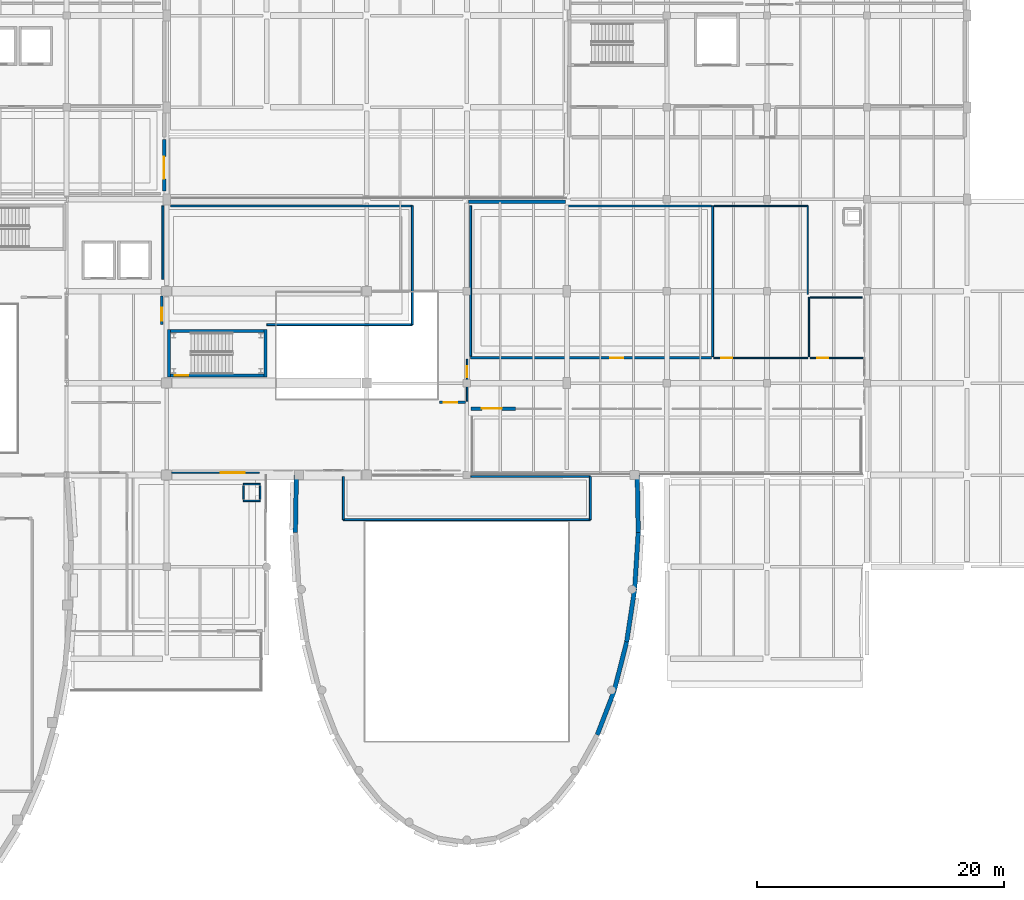
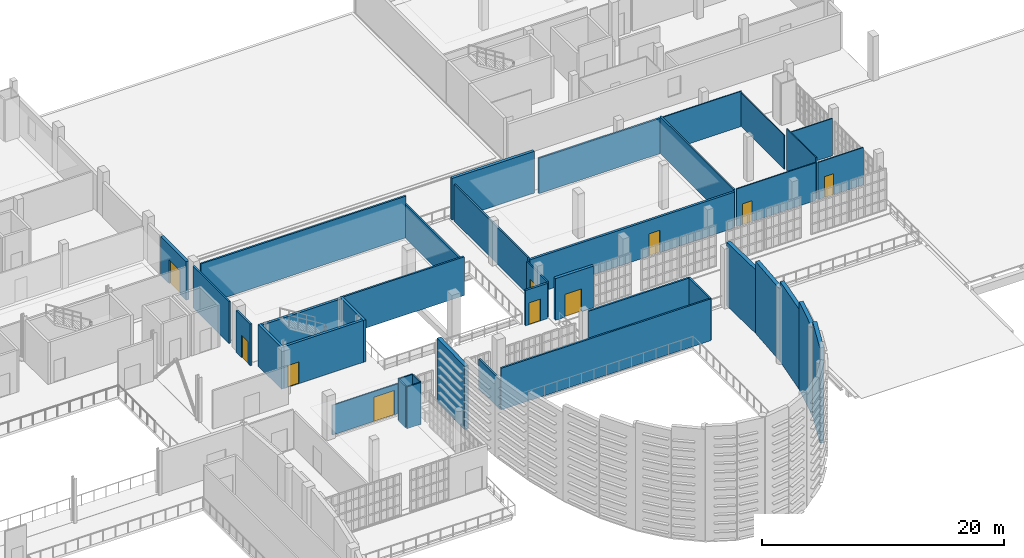
# One storey, part 61 of 73: 39 walls, 10 doors, 10 openings.
"""IFC4 building model written with IfcOpenShell, lengths in metres."""

from ifc_helpers import new_model, si_unit, direction, frame, frame_2d, origin, place, context, subcontext, project, spatial, rectangle, extrude, material, layer, layer_set, type_object, element, fill, save


model = new_model("IFC4")

# Units and contexts
model_context = context("Model", 3, precision=1e-05, world=origin(), true_north=direction((0.0, 1.0)))
body_context = subcontext(model_context, "Body", "Model", "MODEL_VIEW")
ifc_project = project(units=[si_unit("LENGTHUNIT", "METRE"), si_unit("AREAUNIT", "SQUARE_METRE"), si_unit("VOLUMEUNIT", "CUBIC_METRE"), si_unit("PLANEANGLEUNIT", "RADIAN"), si_unit("MASSUNIT", "GRAM", prefix="KILO")], contexts=[model_context])

# Site, building, storey
site_placement = place(None, origin())
site = spatial("IfcSite", under=ifc_project, at=site_placement, CompositionType="ELEMENT")
building_placement = place(site_placement, origin())
building = spatial("IfcBuilding", under=site, at=building_placement, Name="Kaelora Sail Theatre", CompositionType="ELEMENT")
storey_placement = place(building_placement, frame((0.0, 0.0, 10.199951171875)))
storey = spatial("IfcBuildingStorey", under=building, at=storey_placement, Name="L02", CompositionType="ELEMENT", Elevation=10.199951171875)

# Wall, opening, door
ifc_material_1 = material(Name="Concrete C40/50", Category="concrete")
ifc_layer_1 = layer(ifc_material_1, 0.25)
ifc_layer_set_1 = layer_set([ifc_layer_1], Name="Concrete C40/50")
wall_type_1 = type_object("IfcWallType", Name="ARC-WL-CW-250", PredefinedType="SHEAR", material=ifc_layer_set_1)
wall_1_placement = place(storey_placement, frame((66.625, 69.074951171875, 0.0), z_axis=(0.0, 0.0, 1.0), x_axis=(1.0, 0.0, 0.0)))
wall_1 = element("IfcWall", 1, at=wall_1_placement, inside=storey, type_object=wall_type_1, Name="Stair shaft ST-F1 wall L02-S", PredefinedType="SHEAR", context=body_context, shape_type="SweptSolid", body=[
    extrude(rectangle(XDim=7.5400390625, YDim=0.25, at=frame_2d((3.77001953125, 0.0))), origin(), (0.0, 0.0, 1.0), 4.22509765625),
])
opening_1_placement = place(wall_1_placement, frame((0.320068359375, 0.0, 0.0)))
opening_1 = element("IfcOpeningElement", 2, at=opening_1_placement, cuts=wall_1, Name="Opening FD-02", PredefinedType="OPENING", context=body_context, shape_type="SweptSolid", body=[
    extrude(rectangle(XDim=1.10009765625, YDim=2.199951171875, at=frame_2d((0.550048828125, 1.10009765625))), frame((0.0, 0.135, 0.0), z_axis=(0.0, -1.0, 0.0), x_axis=(1.0, 0.0, 0.0)), (0.0, 0.0, 1.0), 0.27),
])
ifc_material_2 = material(Name="Acoustic steel single stair/lobby fire door EI 90-C", Category="steel")
door_type_1 = type_object("IfcDoorType", Name="ARC-DR-FD-02", OperationType="NOTDEFINED", PredefinedType="DOOR", material=ifc_material_2)
door_1_placement = place(opening_1_placement, origin())
door_1 = element("IfcDoor", 3, at=door_1_placement, inside=storey, type_object=door_type_1, Name="Stair ST-F1 door (L02)", OperationType="SINGLE_SWING_LEFT", OverallHeight=2.199951171875, OverallWidth=1.10009765625, PredefinedType="DOOR", context=body_context, shape_type="SweptSolid", body=[
    extrude(rectangle(XDim=1.10009765625, YDim=2.199951171875, at=frame_2d((0.550048828125, 1.10009765625))), frame((0.0, 0.02490234375, 0.0), z_axis=(0.0, -1.0, 0.0), x_axis=(1.0, 0.0, 0.0)), (0.0, 0.0, 1.0), 0.050048828125),
])
fill(opening_1, door_1)

# Walls
wall_2_placement = place(storey_placement, frame((66.625, 72.675048828125, 0.0), z_axis=(0.0, 0.0, 1.0), x_axis=(1.0, 0.0, 0.0)))
element("IfcWall", 4, at=wall_2_placement, inside=storey, type_object=wall_type_1, Name="Stair shaft ST-F1 wall L02-N", PredefinedType="SHEAR", context=body_context, shape_type="SweptSolid", body=[
    extrude(rectangle(XDim=7.5400390625, YDim=0.25, at=frame_2d((3.77001953125, 0.0))), origin(), (0.0, 0.0, 1.0), 4.22509765625),
])
for number, where, z_axis, x_axis, name in (
    (5, (66.4951171875, 68.949951171875, 0.0), (0.0, 0.0, 1.0), (0.0, 1.0, 0.0), "Stair shaft ST-F1 wall L02-W"),
    (6, (74.294921875, 68.949951171875, 0.0), (0.0, 0.0, 1.0), (0.0, 1.0, 0.0), "Stair shaft ST-F1 wall L02-E"),
):
    element("IfcWall", number, at=place(storey_placement, frame(where, z_axis=z_axis, x_axis=x_axis)), inside=storey, type_object=wall_type_1, Name=name, PredefinedType="SHEAR", context=body_context, shape_type="SweptSolid", body=[
        extrude(rectangle(XDim=3.85009765625, YDim=0.25, at=frame_2d((1.925048828125, 0.0))), origin(), (0.0, 0.0, 1.0), 4.22509765625),
    ])
ifc_material_3 = material(Name="Concrete C45/55", Category="concrete")
ifc_layer_2 = layer(ifc_material_3, 0.360107421875)
ifc_layer_set_2 = layer_set([ifc_layer_2], Name="Concrete C45/55")
wall_type_2 = type_object("IfcWallType", Name="ARC-WL-DW-360", PredefinedType="SHEAR", material=ifc_layer_set_2)
wall_3_placement = place(storey_placement, frame((104.39990234375, 61.02001953125, 0.0), z_axis=(0.0, 0.0, 1.0), x_axis=(0.0166215432, -0.999861852608, 0.0)))
element("IfcWall", 7, at=wall_3_placement, inside=storey, type_object=wall_type_2, Name="Studio Theatre Sail Drum curved drum acoustic wall L02 chord 1", PredefinedType="SHEAR", context=body_context, shape_type="SweptSolid", body=[
    extrude(rectangle(XDim=4.65625, YDim=0.360107421875, at=frame_2d((2.328125, 0.0))), origin(), (0.0, 0.0, 1.0), 6.405517578125),
])
wall_4_placement = place(storey_placement, frame((104.477294921875, 56.364501953125, 0.0), z_axis=(0.0, 0.0, 1.0), x_axis=(-0.062087628492, -0.998070702099, 0.0)))
element("IfcWall", 8, at=wall_4_placement, inside=storey, type_object=wall_type_2, Name="Studio Theatre Sail Drum curved drum acoustic wall L02 chord 2", PredefinedType="SHEAR", context=body_context, shape_type="SweptSolid", body=[
    extrude(rectangle(XDim=4.549560546875, YDim=0.360107421875, at=frame_2d((2.27490234375, 0.0))), origin(), (0.0, 0.0, 1.0), 7.24609375),
])
wall_5_placement = place(storey_placement, frame((104.19482421875, 51.82373046875, 0.0), z_axis=(0.0, 0.0, 1.0), x_axis=(-0.149336298687, -0.988786463244, 0.0)))
element("IfcWall", 9, at=wall_5_placement, inside=storey, type_object=wall_type_2, Name="Studio Theatre Sail Drum curved drum acoustic wall L02 chord 3", PredefinedType="SHEAR", context=body_context, shape_type="SweptSolid", body=[
    extrude(rectangle(XDim=4.36328125, YDim=0.360107421875, at=frame_2d((2.181640625, 0.0))), origin(), (0.0, 0.0, 1.0), 8.076416015625),
])
wall_6_placement = place(storey_placement, frame((103.543212890625, 47.50927734375, 0.0), z_axis=(0.0, 0.0, 1.0), x_axis=(-0.247662085518, -0.968846474627, 0.0)))
element("IfcWall", 10, at=wall_6_placement, inside=storey, type_object=wall_type_2, Name="Studio Theatre Sail Drum curved drum acoustic wall L02 chord 4", PredefinedType="SHEAR", context=body_context, shape_type="SweptSolid", body=[
    extrude(rectangle(XDim=4.109619140625, YDim=0.360107421875, at=frame_2d((2.0546875, 0.0))), origin(), (0.0, 0.0, 1.0), 8.862060546875),
])
wall_7_placement = place(storey_placement, frame((102.525390625, 43.527587890625, 0.0), z_axis=(0.0, 0.0, 1.0), x_axis=(-0.359301516444, -0.933221527978, 0.0)))
element("IfcWall", 11, at=wall_7_placement, inside=storey, type_object=wall_type_2, Name="Studio Theatre Sail Drum curved drum acoustic wall L02 chord 5", PredefinedType="SHEAR", context=body_context, shape_type="SweptSolid", body=[
    extrude(rectangle(XDim=3.80517578125, YDim=0.360107421875, at=frame_2d((1.902587890625, 0.0))), origin(), (0.0, 0.0, 1.0), 9.60107421875),
])
wall_8_placement = place(storey_placement, frame((76.72265625, 56.364501953125, 0.0), z_axis=(0.0, 0.0, 1.0), x_axis=(0.0166215432, 0.999861852608, 0.0)))
element("IfcWall", 12, at=wall_8_placement, inside=storey, type_object=wall_type_2, Name="Studio Theatre Sail Drum curved drum acoustic wall L02 chord 20", PredefinedType="SHEAR", context=body_context, shape_type="SweptSolid", body=[
    extrude(rectangle(XDim=4.65625, YDim=0.360107421875, at=frame_2d((2.328125, 0.0))), origin(), (0.0, 0.0, 1.0), 6.405517578125),
])

# Wall, opening, door
ifc_material_4 = material(Name="Precast concrete C45/55", Category="concrete")
ifc_layer_3 = layer(ifc_material_4, 0.280029296875)
ifc_layer_set_3 = layer_set([ifc_layer_3], Name="Precast concrete C45/55")
wall_type_3 = type_object("IfcWallType", Name="ARC-WL-EW-280", PredefinedType="SOLIDWALL", material=ifc_layer_set_3)
wall_9_placement = place(storey_placement, frame((90.929931640625, 66.389892578125, 0.0), z_axis=(0.0, 0.0, 1.0), x_axis=(1.0, 0.0, 0.0)))
wall_9 = element("IfcWall", 13, at=wall_9_placement, inside=storey, type_object=wall_type_3, Name="East Sunset Terrace TR-S2E Access Wall", PredefinedType="SOLIDWALL", context=body_context, shape_type="SweptSolid", body=[
    extrude(rectangle(XDim=3.630126953125, YDim=0.280029296875, at=frame_2d((1.81494140625, 0.0))), origin(), (0.0, 0.0, 1.0), 4.205078125),
])
opening_2_placement = place(wall_9_placement, frame((0.89990234375, 0.0, 0.0)))
opening_2 = element("IfcOpeningElement", 14, at=opening_2_placement, cuts=wall_9, Name="Opening ED-05", PredefinedType="OPENING", context=body_context, shape_type="SweptSolid", body=[
    extrude(rectangle(XDim=1.60009765625, YDim=2.300048828125, at=frame_2d((0.800048828125, 1.14990234375))), frame((0.0, 0.150137, 0.0), z_axis=(0.0, -1.0, 0.0), x_axis=(1.0, 0.0, 0.0)), (0.0, 0.0, 1.0), 0.300029),
])
ifc_material_5 = material(Name="Terrace glazed double swing door", Category="aluminium")
door_type_2 = type_object("IfcDoorType", Name="ARC-DR-ED-05", OperationType="NOTDEFINED", PredefinedType="DOOR", material=ifc_material_5)
door_2_placement = place(opening_2_placement, origin())
door_2 = element("IfcDoor", 15, at=door_2_placement, inside=storey, type_object=door_type_2, Name="East Sunset Terrace TR-S2E Access Wall Door", OperationType="DOUBLE_DOOR_SINGLE_SWING", OverallHeight=2.300048828125, OverallWidth=1.60009765625, PredefinedType="DOOR", context=body_context, shape_type="SweptSolid", body=[
    extrude(rectangle(XDim=1.60009765625, YDim=2.300048828125, at=frame_2d((0.800048828125, 1.14990234375))), frame((0.0, 0.02490234375, 0.0), z_axis=(0.0, -1.0, 0.0), x_axis=(1.0, 0.0, 0.0)), (0.0, 0.0, 1.0), 0.050048828125),
])
fill(opening_2, door_2)

wall_10_placement = place(storey_placement, frame((66.090087890625, 84.0, 0.0), z_axis=(0.0, 0.0, 1.0), x_axis=(0.0, 1.0, 0.0)))
wall_10 = element("IfcWall", 16, at=wall_10_placement, inside=storey, type_object=wall_type_3, Name="Courtyard Garden TR-S3N West Access Wall", PredefinedType="SOLIDWALL", context=body_context, shape_type="SweptSolid", body=[
    extrude(rectangle(XDim=4.199951171875, YDim=0.280029296875, at=frame_2d((2.10009765625, 0.0))), origin(), (0.0, 0.0, 1.0), 3.89697265625),
])
opening_3_placement = place(wall_10_placement, frame((1.0, 0.0, 0.0)))
opening_3 = element("IfcOpeningElement", 17, at=opening_3_placement, cuts=wall_10, Name="Opening ED-02", PredefinedType="OPENING", context=body_context, shape_type="SweptSolid", body=[
    extrude(rectangle(XDim=1.800048828125, YDim=2.39990234375, at=frame_2d((0.89990234375, 1.199951171875))), frame((0.0, 0.150137, 0.0), z_axis=(0.0, -1.0, 0.0), x_axis=(1.0, 0.0, 0.0)), (0.0, 0.0, 1.0), 0.300029),
])
ifc_material_6 = material(Name="Aluminium glazed double foyer exit door", Category="aluminium")
door_type_3 = type_object("IfcDoorType", Name="ARC-DR-ED-02", OperationType="NOTDEFINED", PredefinedType="DOOR", material=ifc_material_6)
door_3_placement = place(opening_3_placement, origin())
door_3 = element("IfcDoor", 18, at=door_3_placement, inside=storey, type_object=door_type_3, Name="Courtyard Garden TR-S3N West Access Wall Door", OperationType="DOUBLE_DOOR_SINGLE_SWING", OverallHeight=2.39990234375, OverallWidth=1.800048828125, PredefinedType="DOOR", context=body_context, shape_type="SweptSolid", body=[
    extrude(rectangle(XDim=1.800048828125, YDim=2.39990234375, at=frame_2d((0.89990234375, 1.199951171875))), frame((0.0, 0.02490234375, 0.0), z_axis=(0.0, -1.0, 0.0), x_axis=(1.0, 0.0, 0.0)), (0.0, 0.0, 1.0), 0.050048828125),
])
fill(opening_3, door_3)

# Walls
wall_11_placement = place(storey_placement, frame((90.75, 83.139892578125, 0.0), z_axis=(0.0, 0.0, 1.0), x_axis=(1.0, 0.0, 0.0)))
element("IfcWall", 19, at=wall_11_placement, inside=storey, type_object=wall_type_3, Name="Stepped Wing Facade Wall FC2-N-L02", PredefinedType="SOLIDWALL", context=body_context, shape_type="SweptSolid", body=[
    extrude(rectangle(XDim=7.85009765625, YDim=0.280029296875, at=frame_2d((3.925048828125, 0.0))), origin(), (0.0, 0.0, 1.0), 4.205078125),
])
ifc_material_7 = material(Name="Demountable acoustic studio wall 150 mm", Category="timber")
ifc_layer_4 = layer(ifc_material_7, 0.14990234375)
ifc_layer_set_4 = layer_set([ifc_layer_4], Name="Demountable acoustic studio wall 150 mm")
wall_type_4 = type_object("IfcWallType", Name="ARC-WL-MV-150", PredefinedType="MOVABLE", material=ifc_layer_set_4)
wall_12_placement = place(storey_placement, frame((110.5, 70.60009765625, 0.0), z_axis=(0.0, 0.0, 1.0), x_axis=(0.0, 1.0, 0.0)))
element("IfcWall", 20, at=wall_12_placement, inside=storey, type_object=wall_type_4, Name="Interior acoustic partition L02-FOY-BAR/L02-WC-PUB", PredefinedType="MOVABLE", context=body_context, shape_type="SweptSolid", body=[
    extrude(rectangle(XDim=12.199951171875, YDim=0.14990234375, at=frame_2d((6.10009765625, 0.0))), origin(), (0.0, 0.0, 1.0), 3.70703125),
])

# Wall, opening, door
ifc_material_8 = material(Name="Sanitary moisture-resistant partition 100 mm", Category="gypsum")
ifc_layer_5 = layer(ifc_material_8, 0.10009765625)
ifc_layer_set_5 = layer_set([ifc_layer_5], Name="Sanitary moisture-resistant partition 100 mm")
wall_type_5 = type_object("IfcWallType", Name="ARC-WL-PT-100", PredefinedType="PARTITIONING", material=ifc_layer_set_5)
wall_13_placement = place(storey_placement, frame((110.60009765625, 70.5, 0.0), z_axis=(0.0, 0.0, 1.0), x_axis=(1.0, 0.0, 0.0)))
wall_13 = element("IfcWall", 21, at=wall_13_placement, inside=storey, type_object=wall_type_5, Name="Interior acoustic partition L02-COR-FC2/L02-WC-PUB", PredefinedType="PARTITIONING", context=body_context, shape_type="SweptSolid", body=[
    extrude(rectangle(XDim=7.599853515625, YDim=0.10009765625, at=frame_2d((3.7998046875, 0.0))), origin(), (0.0, 0.0, 1.0), 3.80712890625),
])
opening_4_placement = place(wall_13_placement, frame((0.580078125, 0.0, 0.0)))
opening_4 = element("IfcOpeningElement", 22, at=opening_4_placement, cuts=wall_13, Name="Opening ID-03", PredefinedType="OPENING", context=body_context, shape_type="SweptSolid", body=[
    extrude(rectangle(XDim=0.89990234375, YDim=2.10009765625, at=frame_2d((0.449951171875, 1.050048828125))), frame((0.0, 0.060049, 0.0), z_axis=(0.0, -1.0, 0.0), x_axis=(1.0, 0.0, 0.0)), (0.0, 0.0, 1.0), 0.120098),
])
ifc_material_9 = material(Name="Accessible sanitary laminate door", Category="timber")
door_type_4 = type_object("IfcDoorType", Name="ARC-DR-ID-03", OperationType="NOTDEFINED", PredefinedType="DOOR", material=ifc_material_9)
door_4_placement = place(opening_4_placement, origin())
door_4 = element("IfcDoor", 23, at=door_4_placement, inside=storey, type_object=door_type_4, Name="Interior door L02-COR-FC2 to L02-WC-PUB", OperationType="SINGLE_SWING_RIGHT", OverallHeight=2.10009765625, OverallWidth=0.89990234375, PredefinedType="DOOR", context=body_context, shape_type="SweptSolid", body=[
    extrude(rectangle(XDim=0.89990234375, YDim=2.10009765625, at=frame_2d((0.449951171875, 1.050048828125))), frame((0.0, 0.02490234375, 0.0), z_axis=(0.0, -1.0, 0.0), x_axis=(1.0, 0.0, 0.0)), (0.0, 0.0, 1.0), 0.050048828125),
])
fill(opening_4, door_4)

wall_14_placement = place(storey_placement, frame((118.39990234375, 70.5, 0.0), z_axis=(0.0, 0.0, 1.0), x_axis=(1.0, 0.0, 0.0)))
wall_14 = element("IfcWall", 24, at=wall_14_placement, inside=storey, type_object=wall_type_5, Name="Interior acoustic partition L02-COR-FC2/L02-WC-ACC", PredefinedType="PARTITIONING", context=body_context, shape_type="SweptSolid", body=[
    extrude(rectangle(XDim=4.31005859375, YDim=0.10009765625, at=frame_2d((2.155029296875, 0.0))), origin(), (0.0, 0.0, 1.0), 3.757080078125),
])
opening_5_placement = place(wall_14_placement, frame((0.580078125, 0.0, 0.0)))
opening_5 = element("IfcOpeningElement", 25, at=opening_5_placement, cuts=wall_14, Name="Opening ID-03", PredefinedType="OPENING", context=body_context, shape_type="SweptSolid", body=[
    extrude(rectangle(XDim=0.89990234375, YDim=2.10009765625, at=frame_2d((0.449951171875, 1.050048828125))), frame((0.0, 0.060049, 0.0), z_axis=(0.0, -1.0, 0.0), x_axis=(1.0, 0.0, 0.0)), (0.0, 0.0, 1.0), 0.120098),
])
door_5_placement = place(opening_5_placement, origin())
door_5 = element("IfcDoor", 26, at=door_5_placement, inside=storey, type_object=door_type_4, Name="Interior door L02-COR-FC2 to L02-WC-ACC", OperationType="SINGLE_SWING_RIGHT", OverallHeight=2.10009765625, OverallWidth=0.89990234375, PredefinedType="DOOR", context=body_context, shape_type="SweptSolid", body=[
    extrude(rectangle(XDim=0.89990234375, YDim=2.10009765625, at=frame_2d((0.449951171875, 1.050048828125))), frame((0.0, 0.02490234375, 0.0), z_axis=(0.0, -1.0, 0.0), x_axis=(1.0, 0.0, 0.0)), (0.0, 0.0, 1.0), 0.050048828125),
])
fill(opening_5, door_5)

# Walls
wall_15_placement = place(storey_placement, frame((118.300048828125, 70.60009765625, 0.0), z_axis=(0.0, 0.0, 1.0), x_axis=(0.0, 1.0, 0.0)))
element("IfcWall", 27, at=wall_15_placement, inside=storey, type_object=wall_type_5, Name="Interior acoustic partition L02-WC-PUB/L02-WC-ACC", PredefinedType="PARTITIONING", context=body_context, shape_type="SweptSolid", body=[
    extrude(rectangle(XDim=4.7998046875, YDim=0.10009765625, at=frame_2d((2.39990234375, 0.0))), origin(), (0.0, 0.0, 1.0), 4.205078125),
])
wall_16_placement = place(storey_placement, frame((110.64990234375, 82.800048828125, 0.0), z_axis=(0.0, 0.0, 1.0), x_axis=(1.0, 0.0, 0.0)))
element("IfcWall", 28, at=wall_16_placement, inside=storey, type_object=wall_type_5, Name="Room enclosure wall L02-WC-PUB-N1", PredefinedType="PARTITIONING", context=body_context, shape_type="SweptSolid", body=[
    extrude(rectangle(XDim=7.550048828125, YDim=0.10009765625, at=frame_2d((3.77490234375, 0.0))), origin(), (0.0, 0.0, 1.0), 3.55712890625),
])
wall_17_placement = place(storey_placement, frame((118.199951171875, 75.64990234375, 0.0), z_axis=(0.0, 0.0, 1.0), x_axis=(0.0, 1.0, 0.0)))
element("IfcWall", 29, at=wall_17_placement, inside=storey, type_object=wall_type_5, Name="Room enclosure wall L02-WC-PUB-E1", PredefinedType="PARTITIONING", context=body_context, shape_type="SweptSolid", body=[
    extrude(rectangle(XDim=7.150146484375, YDim=0.10009765625, at=frame_2d((3.5751953125, 0.0))), origin(), (0.0, 0.0, 1.0), 3.406982421875),
])
wall_18_placement = place(storey_placement, frame((118.39990234375, 75.39990234375, 0.0), z_axis=(0.0, 0.0, 1.0), x_axis=(1.0, 0.0, 0.0)))
element("IfcWall", 30, at=wall_18_placement, inside=storey, type_object=wall_type_5, Name="Room enclosure wall L02-WC-ACC-N1", PredefinedType="PARTITIONING", context=body_context, shape_type="SweptSolid", body=[
    extrude(rectangle(XDim=4.2001953125, YDim=0.10009765625, at=frame_2d((2.10009765625, 0.0))), origin(), (0.0, 0.0, 1.0), 3.757080078125),
])

# Wall, opening, door
ifc_material_10 = material(Name="Office acoustic stud partition 110 mm", Category="gypsum")
ifc_layer_6 = layer(ifc_material_10, 0.110107421875)
ifc_layer_set_6 = layer_set([ifc_layer_6], Name="Office acoustic stud partition 110 mm")
wall_type_6 = type_object("IfcWallType", Name="ARC-WL-PT-110", PredefinedType="PARTITIONING", material=ifc_layer_set_6)
wall_19_placement = place(storey_placement, frame((66.705078125, 61.199951171875, 0.0), z_axis=(0.0, 0.0, 1.0), x_axis=(1.0, 0.0, 0.0)))
wall_19 = element("IfcWall", 31, at=wall_19_placement, inside=storey, type_object=wall_type_6, Name="Interior acoustic partition L02-FOY-INTER1/L02-COR-FOYC", PredefinedType="PARTITIONING", context=body_context, shape_type="SweptSolid", body=[
    extrude(rectangle(XDim=7.094970703125, YDim=0.110107421875, at=frame_2d((3.54736328125, 0.0))), origin(), (0.0, 0.0, 1.0), 3.007080078125),
])
opening_6_placement = place(wall_19_placement, frame((3.967041015625, 0.0, 0.0)))
opening_6 = element("IfcOpeningElement", 32, at=opening_6_placement, cuts=wall_19, Name="Opening ID-10", PredefinedType="OPENING", context=body_context, shape_type="SweptSolid", body=[
    extrude(rectangle(XDim=1.949951171875, YDim=2.449951171875, at=frame_2d((0.97509765625, 1.22509765625))), frame((0.0, 0.065176, 0.0), z_axis=(0.0, -1.0, 0.0), x_axis=(1.0, 0.0, 0.0)), (0.0, 0.0, 1.0), 0.130107),
])
ifc_material_11 = material(Name="Foyer hospitality glazed double door", Category="steel")
door_type_5 = type_object("IfcDoorType", Name="ARC-DR-ID-10", OperationType="NOTDEFINED", PredefinedType="DOOR", material=ifc_material_11)
door_6_placement = place(opening_6_placement, origin())
door_6 = element("IfcDoor", 33, at=door_6_placement, inside=storey, type_object=door_type_5, Name="Interior door L02-FOY-INTER1 to L02-COR-FOYC", OperationType="DOUBLE_DOOR_SINGLE_SWING", OverallHeight=2.449951171875, OverallWidth=1.949951171875, PredefinedType="DOOR", context=body_context, shape_type="SweptSolid", body=[
    extrude(rectangle(XDim=1.949951171875, YDim=2.449951171875, at=frame_2d((0.97509765625, 1.22509765625))), frame((0.0, 0.02490234375, 0.0), z_axis=(0.0, -1.0, 0.0), x_axis=(1.0, 0.0, 0.0)), (0.0, 0.0, 1.0), 0.050048828125),
])
fill(opening_6, door_6)

# Walls
ifc_material_12 = material(Name="Standard metal-stud partition 120 mm", Category="gypsum")
ifc_layer_7 = layer(ifc_material_12, 0.1201171875)
ifc_layer_set_7 = layer_set([ifc_layer_7], Name="Standard metal-stud partition 120 mm")
wall_type_7 = type_object("IfcWallType", Name="ARC-WL-PT-120", PredefinedType="PARTITIONING", material=ifc_layer_set_7)
for number, where, z_axis, x_axis, name in (
    (34, (72.5048828125, 58.925048828125, 0.0), (0.0, 0.0, 1.0), (1.0, 0.0, 0.0), "MEP riser shaft wall FI-WEST-L02-S"),
    (35, (72.5048828125, 60.284912109375, 0.0), (0.0, 0.0, 1.0), (1.0, 0.0, 0.0), "MEP riser shaft wall FI-WEST-L02-N"),
):
    element("IfcWall", number, at=place(storey_placement, frame(where, z_axis=z_axis, x_axis=x_axis)), inside=storey, type_object=wall_type_7, Name=name, PredefinedType="PARTITIONING", context=body_context, shape_type="SweptSolid", body=[
        extrude(rectangle(XDim=1.360107421875, YDim=0.1201171875, at=frame_2d((0.68017578125, 0.0))), origin(), (0.0, 0.0, 1.0), 4.205078125),
    ])
for number, where, z_axis, x_axis, name in (
    (36, (72.5048828125, 59.044921875, 0.0), (0.0, 0.0, 1.0), (0.0, 1.0, 0.0), "MEP riser shaft wall FI-WEST-L02-W"),
    (37, (73.864990234375, 59.044921875, 0.0), (0.0, 0.0, 1.0), (0.0, 1.0, 0.0), "MEP riser shaft wall FI-WEST-L02-E"),
):
    element("IfcWall", number, at=place(storey_placement, frame(where, z_axis=z_axis, x_axis=x_axis)), inside=storey, type_object=wall_type_7, Name=name, PredefinedType="PARTITIONING", context=body_context, shape_type="SweptSolid", body=[
        extrude(rectangle(XDim=1.1201171875, YDim=0.1201171875, at=frame_2d((0.56005859375, 0.0))), origin(), (0.0, 0.0, 1.0), 4.205078125),
    ])

# Wall, opening, door
ifc_material_13 = material(Name="Fire-rated stud partition 140 mm", Category="gypsum")
ifc_layer_8 = layer(ifc_material_13, 0.139892578125)
ifc_layer_set_8 = layer_set([ifc_layer_8], Name="Fire-rated stud partition 140 mm")
wall_type_8 = type_object("IfcWallType", Name="ARC-WL-PT-140", PredefinedType="PARTITIONING", material=ifc_layer_set_8)
wall_20_placement = place(storey_placement, frame((90.625, 67.0, 0.0), z_axis=(0.0, 0.0, 1.0), x_axis=(0.0, 1.0, 0.0)))
wall_20 = element("IfcWall", 38, at=wall_20_placement, inside=storey, type_object=wall_type_8, Name="Interior acoustic partition L02-COR-FC1E/L02-COR-FC2", PredefinedType="PARTITIONING", context=body_context, shape_type="SweptSolid", body=[
    extrude(rectangle(XDim=3.39990234375, YDim=0.139892578125, at=frame_2d((1.699951171875, 0.0))), origin(), (0.0, 0.0, 1.0), 3.55712890625),
])
opening_7_placement = place(wall_20_placement, frame((1.919921875, 0.0, 0.0)))
opening_7 = element("IfcOpeningElement", 39, at=opening_7_placement, cuts=wall_20, Name="Opening ID-03", PredefinedType="OPENING", context=body_context, shape_type="SweptSolid", body=[
    extrude(rectangle(XDim=0.89990234375, YDim=2.10009765625, at=frame_2d((0.449951171875, 1.050048828125))), frame((0.0, 0.079824, 0.0), z_axis=(0.0, -1.0, 0.0), x_axis=(1.0, 0.0, 0.0)), (0.0, 0.0, 1.0), 0.159893),
])
door_7_placement = place(opening_7_placement, origin())
door_7 = element("IfcDoor", 40, at=door_7_placement, inside=storey, type_object=door_type_4, Name="Interior door L02-COR-FC1E to L02-COR-FC2", OperationType="SINGLE_SWING_RIGHT", OverallHeight=2.10009765625, OverallWidth=0.89990234375, PredefinedType="DOOR", context=body_context, shape_type="SweptSolid", body=[
    extrude(rectangle(XDim=0.89990234375, YDim=2.10009765625, at=frame_2d((0.449951171875, 1.050048828125))), frame((0.0, 0.02490234375, 0.0), z_axis=(0.0, -1.0, 0.0), x_axis=(1.0, 0.0, 0.0)), (0.0, 0.0, 1.0), 0.050048828125),
])
fill(opening_7, door_7)

# Walls
ifc_material_14 = material(Name="Acoustic metal-stud plasterboard 160 mm", Category="gypsum")
ifc_layer_9 = layer(ifc_material_14, 0.159912109375)
ifc_layer_set_9 = layer_set([ifc_layer_9], Name="Acoustic metal-stud plasterboard 160 mm")
wall_type_9 = type_object("IfcWallType", Name="ARC-WL-PT-160", PredefinedType="PARTITIONING", material=ifc_layer_set_9)
wall_21_placement = place(storey_placement, frame((80.60009765625, 57.39990234375, 0.0), z_axis=(0.0, 0.0, 1.0), x_axis=(1.0, 0.0, 0.0)))
element("IfcWall", 41, at=wall_21_placement, inside=storey, type_object=wall_type_9, Name="Room enclosure wall L02-STUD-TEC-S1", PredefinedType="PARTITIONING", context=body_context, shape_type="SweptSolid", body=[
    extrude(rectangle(XDim=20.0, YDim=0.159912109375, at=frame_2d((10.0, 0.0))), origin(), (0.0, 0.0, 1.0), 4.205078125),
])
wall_22_placement = place(storey_placement, frame((90.919921875, 60.89990234375, 0.0), z_axis=(0.0, 0.0, 1.0), x_axis=(1.0, 0.0, 0.0)))
element("IfcWall", 42, at=wall_22_placement, inside=storey, type_object=wall_type_9, Name="Room enclosure wall L02-STUD-TEC-N1", PredefinedType="PARTITIONING", context=body_context, shape_type="SweptSolid", body=[
    extrude(rectangle(XDim=9.68017578125, YDim=0.159912109375, at=frame_2d((4.840087890625, 0.0))), origin(), (0.0, 0.0, 1.0), 4.205078125),
])
wall_23_placement = place(storey_placement, frame((80.60009765625, 57.39990234375, 0.0), z_axis=(0.0, 0.0, 1.0), x_axis=(0.0, 1.0, 0.0)))
element("IfcWall", 43, at=wall_23_placement, inside=storey, type_object=wall_type_9, Name="Room enclosure wall L02-STUD-TEC-W1", PredefinedType="PARTITIONING", context=body_context, shape_type="SweptSolid", body=[
    extrude(rectangle(XDim=3.5, YDim=0.159912109375, at=frame_2d((1.75, 0.0))), origin(), (0.0, 0.0, 1.0), 3.007080078125),
])
wall_24_placement = place(storey_placement, frame((100.60009765625, 57.39990234375, 0.0), z_axis=(0.0, 0.0, 1.0), x_axis=(0.0, 1.0, 0.0)))
element("IfcWall", 44, at=wall_24_placement, inside=storey, type_object=wall_type_9, Name="Room enclosure wall L02-STUD-TEC-E1", PredefinedType="PARTITIONING", context=body_context, shape_type="SweptSolid", body=[
    extrude(rectangle(XDim=3.5, YDim=0.159912109375, at=frame_2d((1.75, 0.0))), origin(), (0.0, 0.0, 1.0), 4.205078125),
])
wall_25_placement = place(storey_placement, frame((74.4150390625, 73.199951171875, 0.0), z_axis=(0.0, 0.0, 1.0), x_axis=(1.0, 0.0, 0.0)))
element("IfcWall", 45, at=wall_25_placement, inside=storey, type_object=wall_type_9, Name="Room enclosure wall L02-FOY-SALON-S1", PredefinedType="PARTITIONING", context=body_context, shape_type="SweptSolid", body=[
    extrude(rectangle(XDim=11.784912109375, YDim=0.159912109375, at=frame_2d((5.892578125, 0.0))), origin(), (0.0, 0.0, 1.0), 3.89697265625),
])
wall_26_placement = place(storey_placement, frame((66.6201171875, 82.800048828125, 0.0), z_axis=(0.0, 0.0, 1.0), x_axis=(1.0, 0.0, 0.0)))
element("IfcWall", 46, at=wall_26_placement, inside=storey, type_object=wall_type_9, Name="Room enclosure wall L02-FOY-SALON-N1", PredefinedType="PARTITIONING", context=body_context, shape_type="SweptSolid", body=[
    extrude(rectangle(XDim=19.579833984375, YDim=0.159912109375, at=frame_2d((9.7900390625, 0.0))), origin(), (0.0, 0.0, 1.0), 4.205078125),
])
wall_27_placement = place(storey_placement, frame((66.0, 76.85009765625, 0.0), z_axis=(0.0, 0.0, 1.0), x_axis=(0.0, 1.0, 0.0)))
element("IfcWall", 47, at=wall_27_placement, inside=storey, type_object=wall_type_9, Name="Room enclosure wall L02-FOY-SALON-W1", PredefinedType="PARTITIONING", context=body_context, shape_type="SweptSolid", body=[
    extrude(rectangle(XDim=5.949951171875, YDim=0.159912109375, at=frame_2d((2.97509765625, 0.0))), origin(), (0.0, 0.0, 1.0), 4.205078125),
])
wall_28_placement = place(storey_placement, frame((86.199951171875, 73.199951171875, 0.0), z_axis=(0.0, 0.0, 1.0), x_axis=(0.0, 1.0, 0.0)))
element("IfcWall", 48, at=wall_28_placement, inside=storey, type_object=wall_type_9, Name="Room enclosure wall L02-FOY-SALON-E1", PredefinedType="PARTITIONING", context=body_context, shape_type="SweptSolid", body=[
    extrude(rectangle(XDim=9.60009765625, YDim=0.159912109375, at=frame_2d((4.800048828125, 0.0))), origin(), (0.0, 0.0, 1.0), 3.406982421875),
])
wall_29_placement = place(storey_placement, frame((98.85009765625, 82.800048828125, 0.0), z_axis=(0.0, 0.0, 1.0), x_axis=(1.0, 0.0, 0.0)))
element("IfcWall", 49, at=wall_29_placement, inside=storey, type_object=wall_type_9, Name="Room enclosure wall L02-FOY-BAR-N1", PredefinedType="PARTITIONING", context=body_context, shape_type="SweptSolid", body=[
    extrude(rectangle(XDim=11.5498046875, YDim=0.159912109375, at=frame_2d((5.77490234375, 0.0))), origin(), (0.0, 0.0, 1.0), 3.55712890625),
])
wall_30_placement = place(storey_placement, frame((90.89990234375, 70.64990234375, 0.0), z_axis=(0.0, 0.0, 1.0), x_axis=(0.0, 1.0, 0.0)))
element("IfcWall", 50, at=wall_30_placement, inside=storey, type_object=wall_type_9, Name="Room enclosure wall L02-FOY-BAR-W1", PredefinedType="PARTITIONING", context=body_context, shape_type="SweptSolid", body=[
    extrude(rectangle(XDim=12.150146484375, YDim=0.159912109375, at=frame_2d((6.0751953125, 0.0))), origin(), (0.0, 0.0, 1.0), 3.70703125),
])

# Wall, opening, door
ifc_material_15 = material(Name="Rehearsal double-stud partition 185 mm", Category="gypsum")
ifc_layer_10 = layer(ifc_material_15, 0.18505859375)
ifc_layer_set_10 = layer_set([ifc_layer_10], Name="Rehearsal double-stud partition 185 mm")
wall_type_10 = type_object("IfcWallType", Name="ARC-WL-PT-185", PredefinedType="PARTITIONING", material=ifc_layer_set_10)
wall_31_placement = place(storey_placement, frame((65.89990234375, 73.199951171875, 0.0), z_axis=(0.0, 0.0, 1.0), x_axis=(0.0, 1.0, 0.0)))
wall_31 = element("IfcWall", 51, at=wall_31_placement, inside=storey, type_object=wall_type_10, Name="Interior acoustic partition L02-COR-LINK/L02-FOY-SALON", PredefinedType="PARTITIONING", context=body_context, shape_type="SweptSolid", body=[
    extrude(rectangle(XDim=2.295166015625, YDim=0.18505859375, at=frame_2d((1.1474609375, 0.0))), origin(), (0.0, 0.0, 1.0), 4.205078125),
])
opening_8_placement = place(wall_31_placement, frame((0.320068359375, 0.0, 0.0)))
opening_8 = element("IfcOpeningElement", 52, at=opening_8_placement, cuts=wall_31, Name="Opening ID-06", PredefinedType="OPENING", context=body_context, shape_type="SweptSolid", body=[
    extrude(rectangle(XDim=1.050048828125, YDim=2.25, at=frame_2d((0.52490234375, 1.125))), frame((0.0, 0.102529, 0.0), z_axis=(0.0, -1.0, 0.0), x_axis=(1.0, 0.0, 0.0)), (0.0, 0.0, 1.0), 0.205059),
])
ifc_material_16 = material(Name="Soloist dressing acoustic timber door", Category="wood")
door_type_6 = type_object("IfcDoorType", Name="ARC-DR-ID-06", OperationType="NOTDEFINED", PredefinedType="DOOR", material=ifc_material_16)
door_8_placement = place(opening_8_placement, origin())
door_8 = element("IfcDoor", 53, at=door_8_placement, inside=storey, type_object=door_type_6, Name="Interior door L02-COR-LINK to L02-FOY-SALON", OperationType="SINGLE_SWING_RIGHT", OverallHeight=2.25, OverallWidth=1.050048828125, PredefinedType="DOOR", context=body_context, shape_type="SweptSolid", body=[
    extrude(rectangle(XDim=1.050048828125, YDim=2.25, at=frame_2d((0.52490234375, 1.125))), frame((0.0, 0.02490234375, 0.0), z_axis=(0.0, -1.0, 0.0), x_axis=(1.0, 0.0, 0.0)), (0.0, 0.0, 1.0), 0.050048828125),
])
fill(opening_8, door_8)

ifc_material_17 = material(Name="Acoustic double-stud plasterboard 200 mm", Category="gypsum")
ifc_layer_11 = layer(ifc_material_17, 0.199951171875)
ifc_layer_set_11 = layer_set([ifc_layer_11], Name="Acoustic double-stud plasterboard 200 mm")
wall_type_11 = type_object("IfcWallType", Name="ARC-WL-PT-200", PredefinedType="PARTITIONING", material=ifc_layer_set_11)
wall_32_placement = place(storey_placement, frame((88.39990234375, 66.89990234375, 0.0), z_axis=(0.0, 0.0, 1.0), x_axis=(1.0, 0.0, 0.0)))
wall_32 = element("IfcWall", 54, at=wall_32_placement, inside=storey, type_object=wall_type_11, Name="Interior acoustic partition L02-COR-FOYC/L02-COR-FC1E", PredefinedType="PARTITIONING", context=body_context, shape_type="SweptSolid", body=[
    extrude(rectangle(XDim=2.10009765625, YDim=0.199951171875, at=frame_2d((1.050048828125, 0.0))), origin(), (0.0, 0.0, 1.0), 3.55712890625),
])
opening_9_placement = place(wall_32_placement, frame((0.320068359375, 0.0, 0.0)))
opening_9 = element("IfcOpeningElement", 55, at=opening_9_placement, cuts=wall_32, Name="Opening FD-02", PredefinedType="OPENING", context=body_context, shape_type="SweptSolid", body=[
    extrude(rectangle(XDim=1.10009765625, YDim=2.199951171875, at=frame_2d((0.550048828125, 1.10009765625))), frame((0.0, 0.110098, 0.0), z_axis=(0.0, -1.0, 0.0), x_axis=(1.0, 0.0, 0.0)), (0.0, 0.0, 1.0), 0.219951),
])
door_9_placement = place(opening_9_placement, origin())
door_9 = element("IfcDoor", 56, at=door_9_placement, inside=storey, type_object=door_type_1, Name="Interior door L02-COR-FOYC to L02-COR-FC1E", OperationType="SINGLE_SWING_LEFT", OverallHeight=2.199951171875, OverallWidth=1.10009765625, PredefinedType="DOOR", context=body_context, shape_type="SweptSolid", body=[
    extrude(rectangle(XDim=1.10009765625, YDim=2.199951171875, at=frame_2d((0.550048828125, 1.10009765625))), frame((0.0, 0.02490234375, 0.0), z_axis=(0.0, -1.0, 0.0), x_axis=(1.0, 0.0, 0.0)), (0.0, 0.0, 1.0), 0.050048828125),
])
fill(opening_9, door_9)

ifc_material_18 = material(Name="Studio box-in-box acoustic partition 215 mm", Category="gypsum")
ifc_layer_12 = layer(ifc_material_18, 0.215087890625)
ifc_layer_set_12 = layer_set([ifc_layer_12], Name="Studio box-in-box acoustic partition 215 mm")
wall_type_12 = type_object("IfcWallType", Name="ARC-WL-PT-215", PredefinedType="PARTITIONING", material=ifc_layer_set_12)
wall_33_placement = place(storey_placement, frame((90.89990234375, 70.5, 0.0), z_axis=(0.0, 0.0, 1.0), x_axis=(1.0, 0.0, 0.0)))
wall_33 = element("IfcWall", 57, at=wall_33_placement, inside=storey, type_object=wall_type_12, Name="Interior acoustic partition L02-COR-FC2/L02-FOY-BAR", PredefinedType="PARTITIONING", context=body_context, shape_type="SweptSolid", body=[
    extrude(rectangle(XDim=19.5, YDim=0.215087890625, at=frame_2d((9.75, 0.0))), origin(), (0.0, 0.0, 1.0), 3.60693359375),
])
opening_10_placement = place(wall_33_placement, frame((11.31201171875, 0.0, 0.0)))
opening_10 = element("IfcOpeningElement", 58, at=opening_10_placement, cuts=wall_33, Name="Opening ID-06", PredefinedType="OPENING", context=body_context, shape_type="SweptSolid", body=[
    extrude(rectangle(XDim=1.050048828125, YDim=2.25, at=frame_2d((0.52490234375, 1.125))), frame((0.0, 0.117422, 0.0), z_axis=(0.0, -1.0, 0.0), x_axis=(1.0, 0.0, 0.0)), (0.0, 0.0, 1.0), 0.235088),
])
door_10_placement = place(opening_10_placement, origin())
door_10 = element("IfcDoor", 59, at=door_10_placement, inside=storey, type_object=door_type_6, Name="Interior door L02-COR-FC2 to L02-FOY-BAR", OperationType="SINGLE_SWING_LEFT", OverallHeight=2.25, OverallWidth=1.050048828125, PredefinedType="DOOR", context=body_context, shape_type="SweptSolid", body=[
    extrude(rectangle(XDim=1.050048828125, YDim=2.25, at=frame_2d((0.52490234375, 1.125))), frame((0.0, 0.02490234375, 0.0), z_axis=(0.0, -1.0, 0.0), x_axis=(1.0, 0.0, 0.0)), (0.0, 0.0, 1.0), 0.050048828125),
])
fill(opening_10, door_10)

save(model, "model.ifc")
